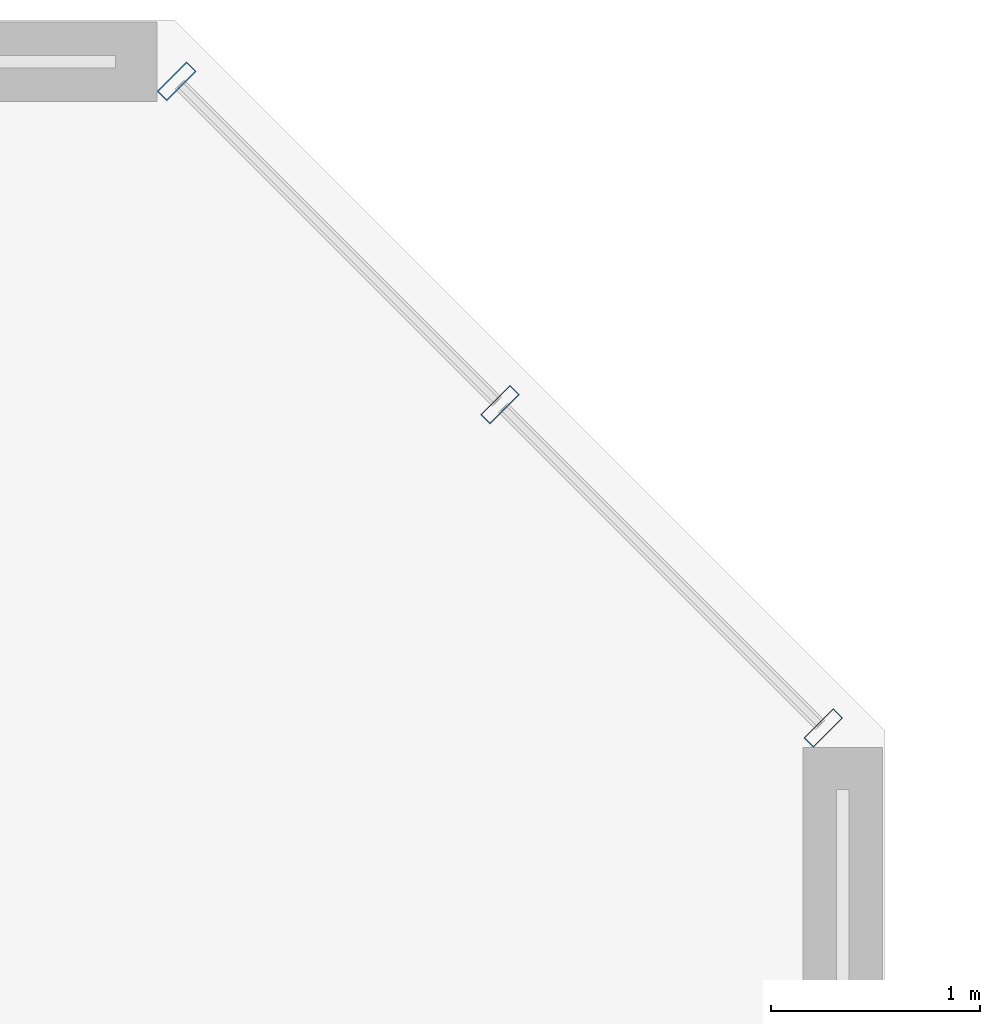
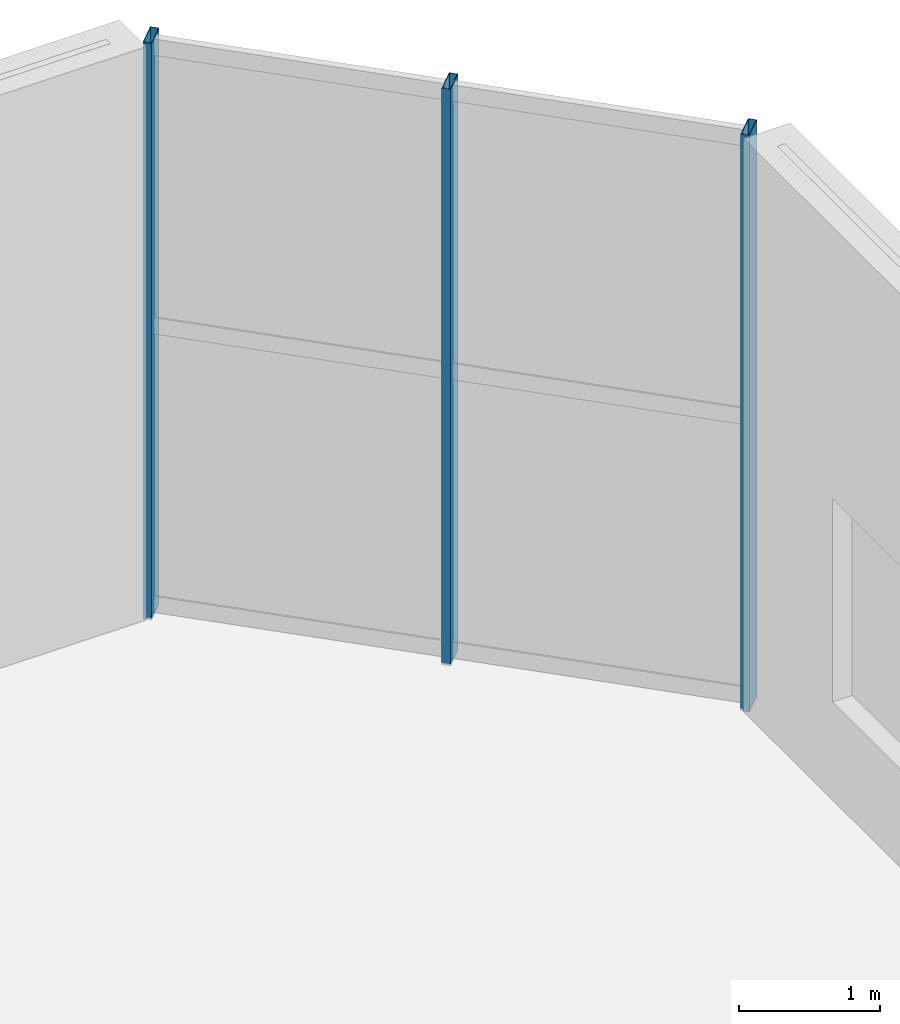
# One storey, part 8 of 23: 3 members, 1 element without a shape of its own.
"""IFC4 building model written with IfcOpenShell, lengths in metres."""

from ifc_helpers import new_model, si_unit, direction, frame, origin, origin_2d, place, context, subcontext, project, spatial, hollow_rectangle, extrude, source, transform, mapped, material, material_profile, profile_set, type_object, element, aggregate, save


model = new_model("IFC4")

# Units and contexts
model_context = context("Model", 3, precision=1e-05, world=origin(), true_north=direction((0.0, 1.0)))
body_context = subcontext(model_context, "Body", "Model", "MODEL_VIEW")
ifc_project = project(units=[si_unit("LENGTHUNIT", "METRE"), si_unit("AREAUNIT", "SQUARE_METRE"), si_unit("VOLUMEUNIT", "CUBIC_METRE"), si_unit("PLANEANGLEUNIT", "RADIAN"), si_unit("MASSUNIT", "GRAM", prefix="KILO")], contexts=[model_context])

# Site, building, storey
site_placement = place(None, origin())
site = spatial("IfcSite", under=ifc_project, at=site_placement, CompositionType="ELEMENT")
building_placement = place(site_placement, origin())
building = spatial("IfcBuilding", under=site, at=building_placement, Name="Tlacorven Tower", CompositionType="ELEMENT")
storey_placement = place(building_placement, frame((0.0, 0.0, 18.60009765625)))
storey = spatial("IfcBuildingStorey", under=building, at=storey_placement, Name="L04", CompositionType="ELEMENT", Elevation=18.60009765625)

# Curtain wall, members
ifc_material_1 = material(Name="Dark solar low-E double glazing in aluminium frame", Category="aluminium")
curtain_wall_type = type_object("IfcCurtainWallType", Name="CW-POD-CLINIC", PredefinedType="USERDEFINED", material=ifc_material_1)
curtain_wall_placement = place(storey_placement, origin())
curtain_wall = element("IfcCurtainWall", 1, at=curtain_wall_placement, inside=storey, type_object=curtain_wall_type, Name="L04 Podium Chamfer Curtain Wall 5", ObjectType="UNITISED CURTAIN WALL", PredefinedType="USERDEFINED")
ifc_material_2 = material(Name="Aluminium 6063-T6 anodised", Category="aluminium")
ifc_material_profile = material_profile(ifc_material_2, hollow_rectangle(XDim=0.06494140625, YDim=0.199951171875, WallThickness=0.00439453125, at=origin_2d()), Name="ALU MULLION 65X200")
ifc_profile_set = profile_set([ifc_material_profile], Name="Aluminium 6063-T6 anodised")
member_type = type_object("IfcMemberType", Name="CWM-02", PredefinedType="MULLION", material=ifc_profile_set)
shared_shape = source(origin(), body_context, "Body", "SweptSolid", [
    extrude(hollow_rectangle(XDim=0.06494140625, YDim=0.199951171875, WallThickness=0.00439453125, at=origin_2d()), origin(), (0.0, 0.0, 1.0), 4.97998046875),
])
member_1_placement = place(storey_placement, frame((67.2109375, 46.306396484375, -0.02001953125), z_axis=(0.0, 0.0, 1.0), x_axis=(0.707106781187, -0.707106781187, 0.0)))
member_1 = element("IfcMember", 2, at=member_1_placement, type_object=member_type, Name="CW-L04-019 Mullion 1", PredefinedType="MULLION", context=body_context, shape_type="MappedRepresentation", body=[
    mapped(shared_shape, transform((0.0, 0.0, 0.0), scale=1.0)),
])
member_2_placement = place(storey_placement, frame((68.758544921875, 44.758544921875, -0.02001953125), z_axis=(0.0, 0.0, 1.0), x_axis=(0.707106781187, -0.707106781187, 0.0)))
member_2 = element("IfcMember", 3, at=member_2_placement, type_object=member_type, Name="CW-L04-019 Mullion 2", PredefinedType="MULLION", context=body_context, shape_type="MappedRepresentation", body=[
    mapped(shared_shape, transform((0.0, 0.0, 0.0), scale=1.0)),
])
member_3_placement = place(storey_placement, frame((70.306396484375, 43.2109375, -0.02001953125), z_axis=(0.0, 0.0, 1.0), x_axis=(0.707106781187, -0.707106781187, 0.0)))
member_3 = element("IfcMember", 4, at=member_3_placement, type_object=member_type, Name="CW-L04-019 Mullion 3", PredefinedType="MULLION", context=body_context, shape_type="MappedRepresentation", body=[
    mapped(shared_shape, transform((0.0, 0.0, 0.0), scale=1.0)),
])
aggregate(curtain_wall, [member_1, member_2, member_3])

save(model, "model.ifc")
